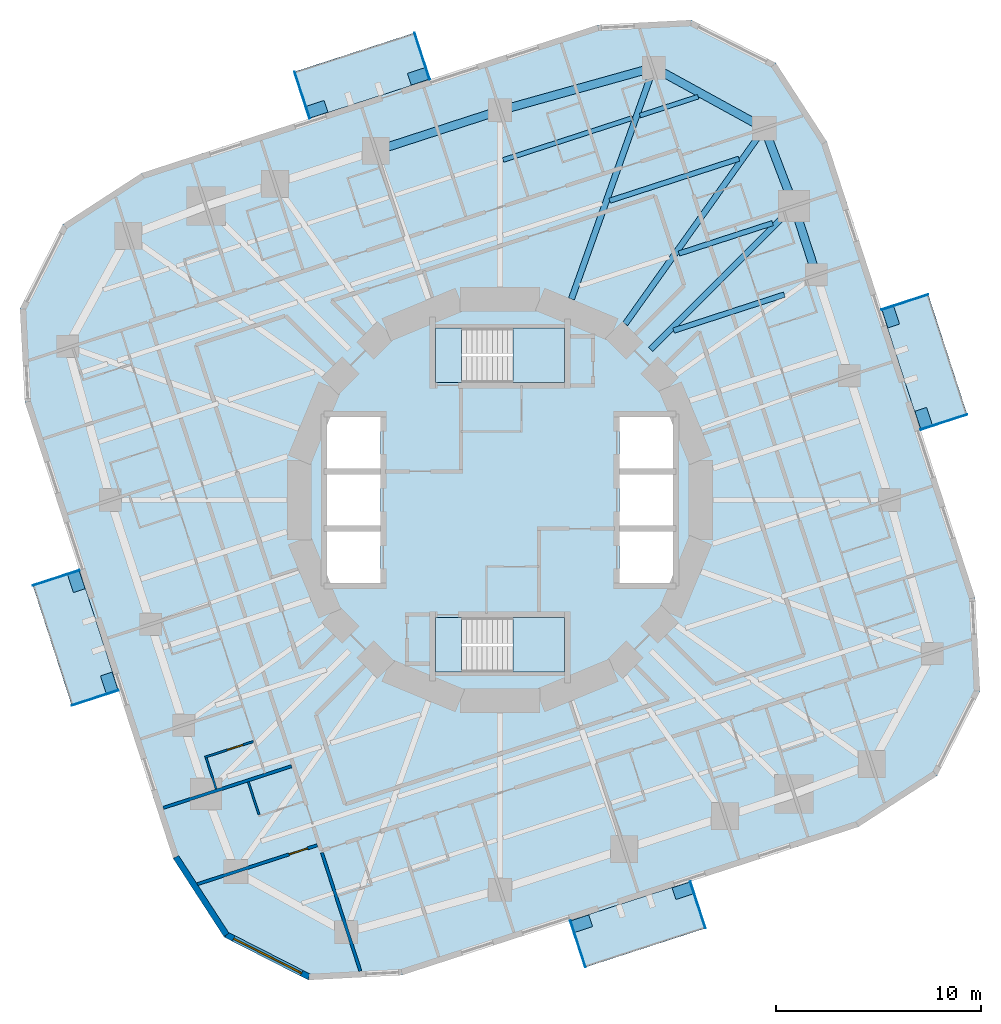
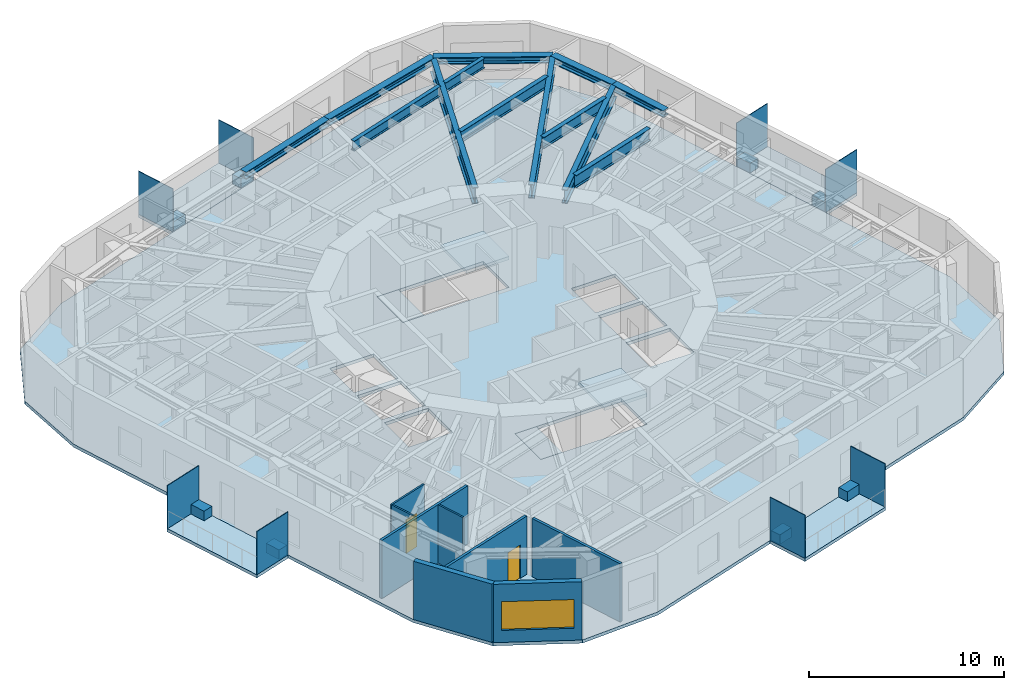
# One storey, part 3 of 12: 16 plates, 9 slabs, 8 beams, 8 walls, 5 members, 2 doors, 1 window, 3 openings, 2 elements without a shape of their own.
"""IFC4 building model written with IfcOpenShell, lengths in metres."""

from ifc_helpers import new_model, si_unit, direction, frame, frame_2d, origin, origin_2d, place, context, subcontext, project, spatial, polyline, rectangle, i_section, outline, extrude, material, layer, layer_set, material_profile, profile_set, type_object, element, fill, aggregate, save


model = new_model("IFC4")

# Units and contexts
model_context = context("Model", 3, precision=1e-05, world=origin(), true_north=direction((0.0, 1.0)))
body_context = subcontext(model_context, "Body", "Model", "MODEL_VIEW")
ifc_project = project(units=[si_unit("LENGTHUNIT", "METRE"), si_unit("AREAUNIT", "SQUARE_METRE"), si_unit("VOLUMEUNIT", "CUBIC_METRE"), si_unit("PLANEANGLEUNIT", "RADIAN"), si_unit("MASSUNIT", "GRAM", prefix="KILO")], contexts=[model_context])

# Site, building, storey
site_placement = place(None, origin())
site = spatial("IfcSite", under=ifc_project, at=site_placement, CompositionType="ELEMENT")
building_placement = place(site_placement, origin())
building = spatial("IfcBuilding", under=site, at=building_placement, Name="Nakasero Lantern House", CompositionType="ELEMENT")
storey_placement = place(building_placement, frame((0.0, 0.0, 172.60009765625)))
storey = spatial("IfcBuildingStorey", under=building, at=storey_placement, Name="L42", CompositionType="ELEMENT", Elevation=172.60009765625)

# Members
ifc_material_1 = material(Name="Steel S355", Category="steel")
ifc_material_profile_1 = material_profile(ifc_material_1, i_section(OverallWidth=0.412109375, OverallDepth=0.4365234375, WebThickness=0.035888671875, FlangeThickness=0.05810546875, FilletRadius=0.01513671875, at=origin_2d()), Name="UC 356x406x467")
ifc_profile_set_1 = profile_set([ifc_material_profile_1], Name="Steel S355")
member_type = type_object("IfcMemberType", Name="Belt truss chord UC 356x406x467", PredefinedType="CHORD", material=ifc_profile_set_1)
member_1_placement = place(storey_placement, frame((15.45947265625, 10.993408203125, 3.431640625), z_axis=(-0.309006636447, 0.951059881727, 0.0), x_axis=(-0.951059881727, -0.309006636447, 0.0)))
element("IfcMember", 1, at=member_1_placement, inside=storey, type_object=member_type, Name="Belt truss bottom chord T4 B4-C05", PredefinedType="CHORD", context=body_context, shape_type="SweptSolid", body=[
    extrude(i_section(OverallWidth=0.412109375, OverallDepth=0.4365234375, WebThickness=0.035888671875, FlangeThickness=0.05810546875, FilletRadius=0.01513671875, at=origin_2d()), origin(), (0.0, 0.0, 1.0), 3.544189453125),
])
member_2_placement = place(storey_placement, frame((14.3642578125, 14.3642578125, 3.431640625), z_axis=(-0.35622505813, 0.934400186194, 0.0), x_axis=(-0.934400186194, -0.35622505813, 0.0)))
element("IfcMember", 2, at=member_2_placement, inside=storey, type_object=member_type, Name="Belt truss bottom chord T4 B4-C06", PredefinedType="CHORD", context=body_context, shape_type="SweptSolid", body=[
    extrude(i_section(OverallWidth=0.412109375, OverallDepth=0.4365234375, WebThickness=0.035888671875, FlangeThickness=0.05810546875, FilletRadius=0.01513671875, at=origin_2d()), origin(), (0.0, 0.0, 1.0), 4.0654296875),
])
member_3_placement = place(storey_placement, frame((12.916015625, 18.1630859375, 3.431640625), z_axis=(-0.876576912681, 0.481261795861, 0.0), x_axis=(-0.481261795861, -0.876576912681, 0.0)))
element("IfcMember", 3, at=member_3_placement, inside=storey, type_object=member_type, Name="Belt truss bottom chord T4 B4-C07", PredefinedType="CHORD", context=body_context, shape_type="SweptSolid", body=[
    extrude(i_section(OverallWidth=0.412109375, OverallDepth=0.4365234375, WebThickness=0.035888671875, FlangeThickness=0.05810546875, FilletRadius=0.01513671875, at=origin_2d()), origin(), (0.0, 0.0, 1.0), 6.1640625),
])
member_4_placement = place(storey_placement, frame((7.5126953125, 21.129638671875, 3.431640625), z_axis=(-0.963143892339, -0.268986696047, 0.0), x_axis=(0.268986696047, -0.963143892339, 0.0)))
element("IfcMember", 4, at=member_4_placement, inside=storey, type_object=member_type, Name="Belt truss bottom chord T4 B4-C08", PredefinedType="CHORD", context=body_context, shape_type="SweptSolid", body=[
    extrude(i_section(OverallWidth=0.412109375, OverallDepth=0.4365234375, WebThickness=0.035888671875, FlangeThickness=0.05810546875, FilletRadius=0.01513671875, at=origin_2d()), origin(), (0.0, 0.0, 1.0), 7.80029296875),
])
member_5_placement = place(storey_placement, frame((0.0, 19.031494140625, 3.431640625), z_axis=(-0.951056007502, -0.309018560274, 0.0), x_axis=(0.309018560274, -0.951056007502, 0.0)))
element("IfcMember", 5, at=member_5_placement, inside=storey, type_object=member_type, Name="Belt truss bottom chord T4 B4-C09", PredefinedType="CHORD", context=body_context, shape_type="SweptSolid", body=[
    extrude(i_section(OverallWidth=0.412109375, OverallDepth=0.4365234375, WebThickness=0.035888671875, FlangeThickness=0.05810546875, FilletRadius=0.01513671875, at=origin_2d()), origin(), (0.0, 0.0, 1.0), 6.378173828125),
])

# Beams
ifc_material_2 = material(Name="Steel S355", Category="steel")
ifc_material_profile_2 = material_profile(ifc_material_2, i_section(OverallWidth=0.22900390625, OverallDepth=0.6123046875, WebThickness=0.011962890625, FlangeThickness=0.01953125, FilletRadius=0.0126953125, at=origin_2d()), Name="UB 610x229x125")
ifc_profile_set_2 = profile_set([ifc_material_profile_2], Name="Steel S355")
beam_type_1 = type_object("IfcBeamType", Name="Infill beam UB 610x229x125", PredefinedType="JOIST", material=ifc_profile_set_2)
beam_1_placement = place(storey_placement, frame((0.14990234375, 16.609375, 3.34375), z_axis=(0.951066694187, 0.308985668289, 0.0), x_axis=(-0.308985668289, 0.951066694187, 0.0)))
element("IfcBeam", 6, at=beam_1_placement, inside=storey, type_object=beam_type_1, Name="Infill beam L43 12.6", PredefinedType="JOIST", context=body_context, shape_type="SweptSolid", body=[
    extrude(i_section(OverallWidth=0.22900390625, OverallDepth=0.6123046875, WebThickness=0.011962890625, FlangeThickness=0.01953125, FilletRadius=0.0126953125, at=origin_2d()), origin(), (0.0, 0.0, 1.0), 6.65283203125),
])
beam_2_placement = place(storey_placement, frame((6.837158203125, 18.781982421875, 3.34375), z_axis=(0.951050280561, 0.309036185332, 0.0), x_axis=(-0.309036185332, 0.951050280561, 0.0)))
element("IfcBeam", 7, at=beam_2_placement, inside=storey, type_object=beam_type_1, Name="Infill beam L43 12.7", PredefinedType="JOIST", context=body_context, shape_type="SweptSolid", body=[
    extrude(i_section(OverallWidth=0.22900390625, OverallDepth=0.6123046875, WebThickness=0.011962890625, FlangeThickness=0.01953125, FilletRadius=0.0126953125, at=origin_2d()), origin(), (0.0, 0.0, 1.0), 2.98779296875),
])
ifc_material_3 = material(Name="Steel S355", Category="steel")
ifc_material_profile_3 = material_profile(ifc_material_3, i_section(OverallWidth=0.253662109375, OverallDepth=0.68359375, WebThickness=0.012451171875, FlangeThickness=0.01904296875, FilletRadius=0.01513671875, at=origin_2d()), Name="UB 686x254x140")
ifc_profile_set_3 = profile_set([ifc_material_profile_3], Name="Steel S355")
beam_type_2 = type_object("IfcBeamType", Name="Infill beam UB 686x254x140", PredefinedType="JOIST", material=ifc_profile_set_3)
beam_3_placement = place(storey_placement, frame((5.35791015625, 14.621337890625, 3.30810546875), z_axis=(0.951051345543, 0.309032907861, 0.0), x_axis=(-0.309032907861, 0.951051345543, 0.0)))
element("IfcBeam", 8, at=beam_3_placement, inside=storey, type_object=beam_type_2, Name="Infill beam L43 11.8", PredefinedType="JOIST", context=body_context, shape_type="SweptSolid", body=[
    extrude(i_section(OverallWidth=0.253662109375, OverallDepth=0.68359375, WebThickness=0.012451171875, FlangeThickness=0.01904296875, FilletRadius=0.01513671875, at=origin_2d()), origin(), (0.0, 0.0, 1.0), 6.6455078125),
])
ifc_material_4 = material(Name="Steel S355", Category="steel")
ifc_material_profile_4 = material_profile(ifc_material_4, i_section(OverallWidth=0.255859375, OverallDepth=0.69287109375, WebThickness=0.014404296875, FlangeThickness=0.023681640625, FilletRadius=0.01513671875, at=origin_2d()), Name="UB 686x254x170")
ifc_profile_set_4 = profile_set([ifc_material_profile_4], Name="Steel S355")
beam_type_3 = type_object("IfcBeamType", Name="Infill beam UB 686x254x170", PredefinedType="JOIST", material=ifc_profile_set_4)
beam_4_placement = place(storey_placement, frame((8.74169921875, 12.04052734375, 3.303466796875), z_axis=(0.951043753501, 0.309056271458, 0.0), x_axis=(-0.309056271458, 0.951043753501, 0.0)))
element("IfcBeam", 9, at=beam_4_placement, inside=storey, type_object=beam_type_3, Name="Infill beam L43 10.4", PredefinedType="JOIST", context=body_context, shape_type="SweptSolid", body=[
    extrude(i_section(OverallWidth=0.255859375, OverallDepth=0.69287109375, WebThickness=0.014404296875, FlangeThickness=0.023681640625, FilletRadius=0.01513671875, at=origin_2d()), origin(), (0.0, 0.0, 1.0), 4.81640625),
])
ifc_material_5 = material(Name="Steel S355", Category="steel")
ifc_material_profile_5 = material_profile(ifc_material_5, i_section(OverallWidth=0.2666015625, OverallDepth=0.76220703125, WebThickness=0.014404296875, FlangeThickness=0.021484375, FilletRadius=0.0166015625, at=origin_2d()), Name="UB 762x267x173")
ifc_profile_set_5 = profile_set([ifc_material_profile_5], Name="Steel S355")
beam_type_4 = type_object("IfcBeamType", Name="Infill beam UB 762x267x173", PredefinedType="JOIST", material=ifc_profile_set_5)
beam_5_placement = place(storey_placement, frame((8.4833984375, 8.276611328125, 3.268798828125), z_axis=(0.951057747163, 0.309013206126, 0.0), x_axis=(-0.309013206126, 0.951057747163, 0.0)))
element("IfcBeam", 10, at=beam_5_placement, inside=storey, type_object=beam_type_4, Name="Infill beam L43 09.2", PredefinedType="JOIST", context=body_context, shape_type="SweptSolid", body=[
    extrude(i_section(OverallWidth=0.2666015625, OverallDepth=0.76220703125, WebThickness=0.014404296875, FlangeThickness=0.021484375, FilletRadius=0.0166015625, at=origin_2d()), origin(), (0.0, 0.0, 1.0), 5.68212890625),
])
ifc_material_6 = material(Name="Steel S355", Category="steel")
ifc_material_profile_6 = material_profile(ifc_material_6, i_section(OverallWidth=0.300048828125, OverallDepth=1.0, WebThickness=0.01904296875, FlangeThickness=0.035888671875, FilletRadius=0.030029296875, at=origin_2d()), Name="UB 1016x305x314")
ifc_profile_set_6 = profile_set([ifc_material_profile_6], Name="Steel S355")
beam_type_5 = type_object("IfcBeamType", Name="Primary beam UB 1016x305x314, span 12 to 15 m", PredefinedType="BEAM", material=ifc_profile_set_6)
beam_6_placement = place(storey_placement, frame((7.5126953125, 21.129638671875, 3.14990234375), z_axis=(-0.335012877559, -0.942213548974, 0.0), x_axis=(0.942213548974, -0.335012877559, 0.0)))
element("IfcBeam", 11, at=beam_6_placement, inside=storey, type_object=beam_type_5, Name="Primary beam L43 B4-C08", PredefinedType="BEAM", context=body_context, shape_type="SweptSolid", body=[
    extrude(i_section(OverallWidth=0.300048828125, OverallDepth=1.0, WebThickness=0.01904296875, FlangeThickness=0.035888671875, FilletRadius=0.030029296875, at=origin_2d()), origin(), (0.0, 0.0, 1.0), 12.00390625),
])
ifc_material_7 = material(Name="Steel S355", Category="steel")
ifc_material_profile_7 = material_profile(ifc_material_7, i_section(OverallWidth=0.29248046875, OverallDepth=0.8408203125, WebThickness=0.0146484375, FlangeThickness=0.02685546875, FilletRadius=0.017822265625, at=origin_2d()), Name="UB 838x292x194")
ifc_profile_set_7 = profile_set([ifc_material_profile_7], Name="Steel S355")
beam_type_6 = type_object("IfcBeamType", Name="Primary beam UB 838x292x194, span 9 to 12 m", PredefinedType="BEAM", material=ifc_profile_set_7)
beam_7_placement = place(storey_placement, frame((14.3642578125, 14.3642578125, 3.2294921875), z_axis=(-0.707106781187, -0.707106781187, 0.0), x_axis=(0.707106781187, -0.707106781187, 0.0)))
element("IfcBeam", 12, at=beam_7_placement, inside=storey, type_object=beam_type_6, Name="Primary beam L43 B4-C06", PredefinedType="BEAM", context=body_context, shape_type="SweptSolid", body=[
    extrude(i_section(OverallWidth=0.29248046875, OverallDepth=0.8408203125, WebThickness=0.0146484375, FlangeThickness=0.02685546875, FilletRadius=0.017822265625, at=origin_2d()), origin(), (0.0, 0.0, 1.0), 9.906494140625),
])
beam_8_placement = place(storey_placement, frame((12.916015625, 18.1630859375, 3.2294921875), z_axis=(-0.579530236062, -0.814950738075, 0.0), x_axis=(0.814950738075, -0.579530236062, 0.0)))
element("IfcBeam", 13, at=beam_8_placement, inside=storey, type_object=beam_type_6, Name="Primary beam L43 B4-C07", PredefinedType="BEAM", context=body_context, shape_type="SweptSolid", body=[
    extrude(i_section(OverallWidth=0.29248046875, OverallDepth=0.8408203125, WebThickness=0.0146484375, FlangeThickness=0.02685546875, FilletRadius=0.017822265625, at=origin_2d()), origin(), (0.0, 0.0, 1.0), 11.73193359375),
])

# Plates
ifc_material_8 = material(Name="Aluminium 6063-T6", Category="aluminium")
ifc_layer_1 = layer(ifc_material_8, 0.60009765625)
ifc_layer_set_1 = layer_set([ifc_layer_1], Name="Balcony planter 600x900")
plate_type_1 = type_object("IfcPlateType", Name="Balcony planter 600x900", PredefinedType="USERDEFINED", material=ifc_layer_set_1)
for number, where, z_axis, x_axis, name in (
    (14, (20.696533203125, 4.00146484375, -0.000244140625), (0.0, 0.0, 1.0), (0.951056516295, 0.309016994375, 0.0), "Balcony PLANTER L42 BAL0A"),
    (15, (19.095703125, 8.927978515625, -0.000244140625), (0.0, 0.0, 1.0), (0.951056516295, 0.309016994375, 0.0), "Balcony PLANTER L42 BAL0B"),
    (16, (-4.00146484375, 20.696533203125, -0.000244140625), (0.0, 0.0, 1.0), (-0.309016994375, 0.951056516295, 0.0), "Balcony PLANTER L42 BAL1A"),
    (17, (-8.927978515625, 19.095703125, -0.000244140625), (0.0, 0.0, 1.0), (-0.309016994375, 0.951056516295, 0.0), "Balcony PLANTER L42 BAL1B"),
    (18, (-20.696533203125, -4.00146484375, -0.000244140625), (0.0, 0.0, 1.0), (-0.951056516295, -0.309016994375, 0.0), "Balcony PLANTER L42 BAL2A"),
    (19, (-19.095703125, -8.927978515625, -0.000244140625), (0.0, 0.0, 1.0), (-0.951056516295, -0.309016994375, 0.0), "Balcony PLANTER L42 BAL2B"),
    (20, (4.00146484375, -20.696533203125, -0.000244140625), (0.0, 0.0, 1.0), (0.309016994375, -0.951056516295, 0.0), "Balcony PLANTER L42 BAL3A"),
    (21, (8.927978515625, -19.095703125, -0.000244140625), (0.0, 0.0, 1.0), (0.309016994375, -0.951056516295, 0.0), "Balcony PLANTER L42 BAL3B"),
):
    element("IfcPlate", number, at=place(storey_placement, frame(where, z_axis=z_axis, x_axis=x_axis)), inside=storey, type_object=plate_type_1, Name=name, ObjectType="PLANTER", PredefinedType="USERDEFINED", context=body_context, shape_type="SweptSolid", body=[
        extrude(rectangle(XDim=0.60009765625, YDim=0.89990234375, at=origin_2d()), origin(), (0.0, 0.0, 1.0), 0.60009765625),
    ])
ifc_material_9 = material(Name="Aluminium 6063-T6", Category="aluminium")
ifc_layer_2 = layer(ifc_material_9, 0.0400390625)
ifc_layer_set_2 = layer_set([ifc_layer_2], Name="Balcony screen 2400x2700")
plate_type_2 = type_object("IfcPlateType", Name="Balcony screen 2400x2700", PredefinedType="SHEET", material=ifc_layer_set_2)
for number, where, z_axis, x_axis, name in (
    (22, (21.684814453125, 3.807373046875, 0.0), (0.0, 0.0, 1.0), (0.951056516295, 0.309016994375, 0.0), "Balcony SCREEN L42 BAL0A"),
    (23, (19.78125, 9.665771484375, 0.0), (0.0, 0.0, 1.0), (0.951056516295, 0.309016994375, 0.0), "Balcony SCREEN L42 BAL0B"),
    (24, (-3.807373046875, 21.684814453125, 0.0), (0.0, 0.0, 1.0), (-0.309016994375, 0.951056516295, 0.0), "Balcony SCREEN L42 BAL1A"),
    (25, (-9.665771484375, 19.78125, 0.0), (0.0, 0.0, 1.0), (-0.309016994375, 0.951056516295, 0.0), "Balcony SCREEN L42 BAL1B"),
    (26, (-21.684814453125, -3.807373046875, 0.0), (0.0, 0.0, 1.0), (-0.951056516295, -0.309016994375, 0.0), "Balcony SCREEN L42 BAL2A"),
    (27, (-19.78125, -9.665771484375, 0.0), (0.0, 0.0, 1.0), (-0.951056516295, -0.309016994375, 0.0), "Balcony SCREEN L42 BAL2B"),
    (28, (3.807373046875, -21.684814453125, 0.0), (0.0, 0.0, 1.0), (0.309016994375, -0.951056516295, 0.0), "Balcony SCREEN L42 BAL3A"),
    (29, (9.665771484375, -19.78125, 0.0), (0.0, 0.0, 1.0), (0.309016994375, -0.951056516295, 0.0), "Balcony SCREEN L42 BAL3B"),
):
    element("IfcPlate", number, at=place(storey_placement, frame(where, z_axis=z_axis, x_axis=x_axis)), inside=storey, type_object=plate_type_2, Name=name, PredefinedType="SHEET", context=body_context, shape_type="SweptSolid", body=[
        extrude(rectangle(XDim=2.39990234375, YDim=0.0400390625, at=origin_2d()), origin(), (0.0, 0.0, 1.0), 2.699951171875),
    ])

# Slabs
ifc_material_10 = material(Name="Concrete C35/45", Category="concrete")
ifc_layer_3 = layer(ifc_material_10, 0.199951171875)
ifc_layer_set_3 = layer_set([ifc_layer_3], Name="Balcony slab 200")
slab_type_1 = type_object("IfcSlabType", Name="Balcony slab 200", PredefinedType="USERDEFINED", material=ifc_layer_set_3)
slab_1_placement = place(storey_placement, frame((0.0, 0.0, -0.2001953125)))
element("IfcSlab", 30, at=slab_1_placement, inside=storey, type_object=slab_type_1, Name="Balcony L42 BAL0", ObjectType="BALCONY", PredefinedType="USERDEFINED", context=body_context, shape_type="SweptSolid", body=[
    extrude(outline(polyline([(20.5498046875, 3.41748046875), (22.832275390625, 4.1591796875), (20.916259765625, 10.0556640625), (18.6337890625, 9.31396484375), (20.5498046875, 3.41748046875)])), origin(), (0.0, 0.0, 1.0), 0.2001953125),
])
slab_2_placement = place(storey_placement, frame((0.0, 0.0, -0.2001953125)))
element("IfcSlab", 31, at=slab_2_placement, inside=storey, type_object=slab_type_1, Name="Balcony L42 BAL1", ObjectType="BALCONY", PredefinedType="USERDEFINED", context=body_context, shape_type="SweptSolid", body=[
    extrude(outline(polyline([(-3.41748046875, 20.5498046875), (-4.1591796875, 22.832275390625), (-10.0556640625, 20.916259765625), (-9.31396484375, 18.6337890625), (-3.41748046875, 20.5498046875)])), origin(), (0.0, 0.0, 1.0), 0.2001953125),
])
slab_3_placement = place(storey_placement, frame((0.0, 0.0, -0.2001953125)))
element("IfcSlab", 32, at=slab_3_placement, inside=storey, type_object=slab_type_1, Name="Balcony L42 BAL2", ObjectType="BALCONY", PredefinedType="USERDEFINED", context=body_context, shape_type="SweptSolid", body=[
    extrude(outline(polyline([(-20.5498046875, -3.41748046875), (-22.832275390625, -4.1591796875), (-20.916259765625, -10.0556640625), (-18.6337890625, -9.31396484375), (-20.5498046875, -3.41748046875)])), origin(), (0.0, 0.0, 1.0), 0.2001953125),
])
slab_4_placement = place(storey_placement, frame((0.0, 0.0, -0.2001953125)))
element("IfcSlab", 33, at=slab_4_placement, inside=storey, type_object=slab_type_1, Name="Balcony L42 BAL3", ObjectType="BALCONY", PredefinedType="USERDEFINED", context=body_context, shape_type="SweptSolid", body=[
    extrude(outline(polyline([(3.41748046875, -20.5498046875), (4.1591796875, -22.832275390625), (10.0556640625, -20.916259765625), (9.31396484375, -18.6337890625), (3.41748046875, -20.5498046875)])), origin(), (0.0, 0.0, 1.0), 0.2001953125),
])
ifc_material_11 = material(Name="Concrete C35/45", Category="concrete")
ifc_layer_4 = layer(ifc_material_11, 0.199951171875)
ifc_layer_set_4 = layer_set([ifc_layer_4], Name="Composite floor slab 200")
slab_type_2 = type_object("IfcSlabType", Name="Composite floor slab 200", PredefinedType="FLOOR", material=ifc_layer_set_4)
slab_5_placement = place(storey_placement, frame((0.0, 0.0, -0.2001953125)))
element("IfcSlab", 34, at=slab_5_placement, inside=storey, type_object=slab_type_2, Name="Floor slab L42", PredefinedType="FLOOR", context=body_context, shape_type="SweptSolid", body=[
    extrude(outline(polyline([(15.976318359375, 17.4931640625), (13.467041015625, 21.35693359375), (9.3623046875, 23.448486328125), (4.76171875, 23.207275390625), (-17.4931640625, 15.976318359375), (-21.35693359375, 13.467041015625), (-23.448486328125, 9.3623046875), (-23.207275390625, 4.76171875), (-15.976318359375, -17.4931640625), (-13.467041015625, -21.35693359375), (-9.3623046875, -23.448486328125), (-4.76171875, -23.207275390625), (17.4931640625, -15.976318359375), (21.35693359375, -13.467041015625), (23.448486328125, -9.3623046875), (23.207275390625, -4.76171875), (15.976318359375, 17.4931640625)]), holes=[polyline([(-8.449951171875, -4.050048828125), (-5.85009765625, -4.050048828125), (-5.85009765625, -1.550048828125), (-8.449951171875, -1.550048828125), (-8.449951171875, -4.050048828125)]), polyline([(-8.449951171875, -1.25), (-5.85009765625, -1.25), (-5.85009765625, 1.25), (-8.449951171875, 1.25), (-8.449951171875, -1.25)]), polyline([(-8.449951171875, 1.550048828125), (-5.85009765625, 1.550048828125), (-5.85009765625, 4.050048828125), (-8.449951171875, 4.050048828125), (-8.449951171875, 1.550048828125)]), polyline([(5.85009765625, -4.050048828125), (8.449951171875, -4.050048828125), (8.449951171875, -1.550048828125), (5.85009765625, -1.550048828125), (5.85009765625, -4.050048828125)]), polyline([(5.85009765625, -1.25), (8.449951171875, -1.25), (8.449951171875, 1.25), (5.85009765625, 1.25), (5.85009765625, -1.25)]), polyline([(5.85009765625, 1.550048828125), (8.449951171875, 1.550048828125), (8.449951171875, 4.050048828125), (5.85009765625, 4.050048828125), (5.85009765625, 1.550048828125)]), polyline([(-3.14990234375, 5.75), (3.14990234375, 5.75), (3.14990234375, 8.39990234375), (-3.14990234375, 8.39990234375), (-3.14990234375, 5.75)]), polyline([(-3.14990234375, -8.39990234375), (3.14990234375, -8.39990234375), (3.14990234375, -5.75), (-3.14990234375, -5.75), (-3.14990234375, -8.39990234375)])]), origin(), (0.0, 0.0, 1.0), 0.2001953125),
])

# Stair, slabs
ifc_material_12 = material(Name="Concrete C40/50", Category="concrete")
stair_type_1 = type_object("IfcStairType", Name="Escape stair ST1 22 risers", PredefinedType="HALF_TURN_STAIR", material=ifc_material_12)
stair_1_placement = place(storey_placement, origin())
stair_1 = element("IfcStair", 35, at=stair_1_placement, inside=storey, type_object=stair_type_1, Name="Escape stair ST1 L42", PredefinedType="HALF_TURN_STAIR")
ifc_material_13 = material(Name="Concrete C40/50", Category="concrete")
ifc_layer_5 = layer(ifc_material_13, 0.199951171875)
ifc_layer_set_5 = layer_set([ifc_layer_5], Name="Stair landing 200")
slab_type_3 = type_object("IfcSlabType", Name="Stair landing 200", PredefinedType="LANDING", material=ifc_layer_set_5)
slab_6_placement = place(storey_placement, frame((0.0, 0.0, -0.2001953125)))
slab_6 = element("IfcSlab", 36, at=slab_6_placement, type_object=slab_type_3, Name="ST1 landing 1", PredefinedType="LANDING", context=body_context, shape_type="SweptSolid", body=[
    extrude(outline(polyline([(-3.14990234375, 5.75), (-1.875, 5.75), (-1.875, 8.39990234375), (-3.14990234375, 8.39990234375), (-3.14990234375, 5.75)])), origin(), (0.0, 0.0, 1.0), 0.2001953125),
])
slab_7_placement = place(storey_placement, frame((0.0, 0.0, 1.724853515625)))
slab_7 = element("IfcSlab", 37, at=slab_7_placement, type_object=slab_type_3, Name="ST1 landing 2", PredefinedType="LANDING", context=body_context, shape_type="SweptSolid", body=[
    extrude(outline(polyline([(0.625, 5.75), (3.14990234375, 5.75), (3.14990234375, 8.39990234375), (0.625, 8.39990234375), (0.625, 5.75)])), origin(), (0.0, 0.0, 1.0), 0.199951171875),
])
aggregate(stair_1, [slab_6, slab_7])

ifc_material_14 = material(Name="Concrete C40/50", Category="concrete")
stair_type_2 = type_object("IfcStairType", Name="Escape stair ST2 22 risers", PredefinedType="HALF_TURN_STAIR", material=ifc_material_14)
stair_2_placement = place(storey_placement, origin())
stair_2 = element("IfcStair", 38, at=stair_2_placement, inside=storey, type_object=stair_type_2, Name="Escape stair ST2 L42", PredefinedType="HALF_TURN_STAIR")
slab_8_placement = place(storey_placement, frame((0.0, 0.0, -0.2001953125)))
slab_8 = element("IfcSlab", 39, at=slab_8_placement, type_object=slab_type_3, Name="ST2 landing 1", PredefinedType="LANDING", context=body_context, shape_type="SweptSolid", body=[
    extrude(outline(polyline([(-3.14990234375, -8.39990234375), (-1.875, -8.39990234375), (-1.875, -5.75), (-3.14990234375, -5.75), (-3.14990234375, -8.39990234375)])), origin(), (0.0, 0.0, 1.0), 0.2001953125),
])
slab_9_placement = place(storey_placement, frame((0.0, 0.0, 1.724853515625)))
slab_9 = element("IfcSlab", 40, at=slab_9_placement, type_object=slab_type_3, Name="ST2 landing 2", PredefinedType="LANDING", context=body_context, shape_type="SweptSolid", body=[
    extrude(outline(polyline([(0.625, -8.39990234375), (3.14990234375, -8.39990234375), (3.14990234375, -5.75), (0.625, -5.75), (0.625, -8.39990234375)])), origin(), (0.0, 0.0, 1.0), 0.199951171875),
])
aggregate(stair_2, [slab_8, slab_9])

# Wall, opening, door
ifc_material_15 = material(Name="Blockwork", Category="masonry")
ifc_layer_6 = layer(ifc_material_15, 0.10009765625)
ifc_layer_set_6 = layer_set([ifc_layer_6], Name="En-suite wall 100")
wall_type_1 = type_object("IfcWallType", Name="En-suite wall 100", PredefinedType="PARTITIONING", material=ifc_layer_set_6)
wall_1_placement = place(storey_placement, frame((-12.044189453125, -11.796630859375, 0.0), z_axis=(0.0, 0.0, 1.0), x_axis=(-0.951067792613, -0.308982287281, 0.0)))
wall_1 = element("IfcWall", 41, at=wall_1_placement, inside=storey, type_object=wall_type_1, Name="En-suite wall L42 ES2-05", PredefinedType="PARTITIONING", context=body_context, shape_type="SweptSolid", body=[
    extrude(rectangle(XDim=2.5, YDim=0.10009765625, at=frame_2d((1.25, 0.0))), origin(), (0.0, 0.0, 1.0), 3.64990234375),
])
opening_1_placement = place(wall_1_placement, frame((0.550048828125, 0.0, 0.0)))
opening_1 = element("IfcOpeningElement", 42, at=opening_1_placement, cuts=wall_1, Name="Opening D02", PredefinedType="OPENING", context=body_context, shape_type="SweptSolid", body=[
    extrude(rectangle(XDim=0.800048828125, YDim=2.10009765625, at=frame_2d((0.39990234375, 1.050048828125))), frame((0.0, 0.070068359375, 0.0), z_axis=(0.0, -1.0, 0.0), x_axis=(1.0, 0.0, 0.0)), (0.0, 0.0, 1.0), 0.14013671875),
])
ifc_material_16 = material(Name="Timber C24", Category="wood")
door_type_1 = type_object("IfcDoorType", Name="En-suite door 800", OperationType="SINGLE_SWING_RIGHT", PredefinedType="DOOR", material=ifc_material_16)
door_1_placement = place(opening_1_placement, origin())
door_1 = element("IfcDoor", 43, at=door_1_placement, inside=storey, type_object=door_type_1, Name="Door L42 DE2-05", OperationType="SINGLE_SWING_LEFT", OverallHeight=2.10009765625, OverallWidth=0.800048828125, PredefinedType="DOOR", context=body_context, shape_type="SweptSolid", body=[
    extrude(rectangle(XDim=0.800048828125, YDim=2.10009765625, at=frame_2d((0.39990234375, 1.050048828125))), frame((0.0, 0.02490234375, 0.0), z_axis=(0.0, -1.0, 0.0), x_axis=(1.0, 0.0, 0.0)), (0.0, 0.0, 1.0), 0.050048828125),
])
fill(opening_1, door_1)

# Walls
wall_2_placement = place(storey_placement, frame((-14.358642578125, -12.601318359375, 0.0), z_axis=(0.0, 0.0, 1.0), x_axis=(0.308986014439, -0.951066581729, 0.0)))
element("IfcWall", 44, at=wall_2_placement, inside=storey, type_object=wall_type_1, Name="En-suite wall L42 EE2-05", PredefinedType="PARTITIONING", context=body_context, shape_type="SweptSolid", body=[
    extrude(rectangle(XDim=1.60009765625, YDim=0.10009765625, at=frame_2d((0.800048828125, 0.0))), origin(), (0.0, 0.0, 1.0), 3.64990234375),
])
wall_3_placement = place(storey_placement, frame((-12.29638671875, -13.771240234375, 0.0), z_axis=(0.0, 0.0, 1.0), x_axis=(0.309066587596, -0.951040401051, 0.0)))
element("IfcWall", 45, at=wall_3_placement, inside=storey, type_object=wall_type_1, Name="En-suite wall L42 EE2-06", PredefinedType="PARTITIONING", context=body_context, shape_type="SweptSolid", body=[
    extrude(rectangle(XDim=1.699951171875, YDim=0.10009765625, at=frame_2d((0.85009765625, 0.0))), origin(), (0.0, 0.0, 1.0), 3.64990234375),
])
ifc_material_17 = material(Name="Aluminium rainscreen on blockwork", Category="masonry")
ifc_layer_7 = layer(ifc_material_17, 0.300048828125)
ifc_layer_set_7 = layer_set([ifc_layer_7], Name="Facade wall 300")
wall_type_2 = type_object("IfcWallType", Name="Facade wall 300", PredefinedType="SOLIDWALL", material=ifc_layer_set_7)
wall_4_placement = place(storey_placement, frame((-15.83349609375, -17.44677734375, 0.0), z_axis=(0.0, 0.0, 1.0), x_axis=(0.544634002266, -0.838673836229, 0.0)))
element("IfcWall", 46, at=wall_4_placement, inside=storey, type_object=wall_type_2, Name="Facade wall L42 FW2C1", PredefinedType="SOLIDWALL", context=body_context, shape_type="SweptSolid", body=[
    extrude(rectangle(XDim=4.529296875, YDim=0.300048828125, at=frame_2d((2.2646484375, 0.0))), origin(), (0.0, 0.0, 1.0), 3.64990234375),
])

# Wall, opening, window
wall_5_placement = place(storey_placement, frame((-13.36669921875, -21.245361328125, 0.0), z_axis=(0.0, 0.0, 1.0), x_axis=(0.890994655705, -0.454013792196, 0.0)))
wall_5 = element("IfcWall", 47, at=wall_5_placement, inside=storey, type_object=wall_type_2, Name="Facade wall L42 FW2C2", PredefinedType="SOLIDWALL", context=body_context, shape_type="SweptSolid", body=[
    extrude(rectangle(XDim=4.529296875, YDim=0.300048828125, at=frame_2d((2.2646484375, 0.0))), origin(), (0.0, 0.0, 1.0), 3.64990234375),
])
opening_2_placement = place(wall_5_placement, frame((0.39990234375, 0.0, 0.75)))
opening_2 = element("IfcOpeningElement", 48, at=opening_2_placement, cuts=wall_5, Name="Opening W237A", PredefinedType="OPENING", context=body_context, shape_type="SweptSolid", body=[
    extrude(rectangle(XDim=3.72900390625, YDim=1.800048828125, at=frame_2d((1.864501953125, 0.89990234375))), frame((0.0, 0.169921875, 0.0), z_axis=(0.0, -1.0, 0.0), x_axis=(1.0, 0.0, 0.0)), (0.0, 0.0, 1.0), 0.340087890625),
])
ifc_material_18 = material(Name="Aluminium 6063-T6 and glass", Category="aluminium")
window_type = type_object("IfcWindowType", Name="Corner window 3729x1800", PartitioningType="SINGLE_PANEL", PredefinedType="WINDOW", material=ifc_material_18)
window_placement = place(opening_2_placement, origin())
window = element("IfcWindow", 49, at=window_placement, inside=storey, type_object=window_type, Name="Window L42 WC2", OverallHeight=1.800048828125, OverallWidth=3.72900390625, PartitioningType="SINGLE_PANEL", PredefinedType="WINDOW", context=body_context, shape_type="SweptSolid", body=[
    extrude(rectangle(XDim=3.72900390625, YDim=1.800048828125, at=frame_2d((1.864501953125, 0.89990234375))), frame((0.0, 0.030029296875, 0.0), z_axis=(0.0, -1.0, 0.0), x_axis=(1.0, 0.0, 0.0)), (0.0, 0.0, 1.0), 0.06005859375),
])
fill(opening_2, window)

# Wall
ifc_material_19 = material(Name="Blockwork", Category="masonry")
ifc_layer_8 = layer(ifc_material_19, 0.14990234375)
ifc_layer_set_8 = layer_set([ifc_layer_8], Name="Party wall 150")
wall_type_3 = type_object("IfcWallType", Name="Party wall 150", PredefinedType="PARTITIONING", material=ifc_layer_set_8)
wall_6_placement = place(storey_placement, frame((-10.1796875, -13.004638671875, 0.0), z_axis=(0.0, 0.0, 1.0), x_axis=(-0.951053095941, -0.309027520945, 0.0)))
element("IfcWall", 50, at=wall_6_placement, inside=storey, type_object=wall_type_3, Name="Party wall L42 PW2-06", PredefinedType="PARTITIONING", context=body_context, shape_type="SweptSolid", body=[
    extrude(rectangle(XDim=6.599853515625, YDim=0.14990234375, at=frame_2d((3.2998046875, 0.0))), origin(), (0.0, 0.0, 1.0), 3.64990234375),
])

# Wall, opening, door
wall_7_placement = place(storey_placement, frame((-8.9248046875, -16.8662109375, 0.0), z_axis=(0.0, 0.0, 1.0), x_axis=(-0.951051818488, -0.309031452366, 0.0)))
wall_7 = element("IfcWall", 51, at=wall_7_placement, inside=storey, type_object=wall_type_3, Name="Party wall L42 PC2", PredefinedType="PARTITIONING", context=body_context, shape_type="SweptSolid", body=[
    extrude(rectangle(XDim=6.165283203125, YDim=0.14990234375, at=frame_2d((3.08251953125, 0.0))), origin(), (0.0, 0.0, 1.0), 3.64990234375),
])
opening_3_placement = place(wall_7_placement, frame((0.5, 0.0, 0.0)))
opening_3 = element("IfcOpeningElement", 52, at=opening_3_placement, cuts=wall_7, Name="Opening D01", PredefinedType="OPENING", context=body_context, shape_type="SweptSolid", body=[
    extrude(rectangle(XDim=0.949951171875, YDim=2.10009765625, at=frame_2d((0.47509765625, 1.050048828125))), frame((0.0, 0.094970703125, 0.0), z_axis=(0.0, -1.0, 0.0), x_axis=(1.0, 0.0, 0.0)), (0.0, 0.0, 1.0), 0.18994140625),
])
ifc_material_20 = material(Name="Timber C24", Category="wood")
door_type_2 = type_object("IfcDoorType", Name="Bedroom door FD30S 950", OperationType="SINGLE_SWING_LEFT", PredefinedType="DOOR", material=ifc_material_20)
door_2_placement = place(opening_3_placement, origin())
door_2 = element("IfcDoor", 53, at=door_2_placement, inside=storey, type_object=door_type_2, Name="Door L42 DC2", OperationType="SINGLE_SWING_LEFT", OverallHeight=2.10009765625, OverallWidth=0.949951171875, PredefinedType="DOOR", context=body_context, shape_type="SweptSolid", body=[
    extrude(rectangle(XDim=0.949951171875, YDim=2.10009765625, at=frame_2d((0.47509765625, 1.050048828125))), frame((0.0, 0.02490234375, 0.0), z_axis=(0.0, -1.0, 0.0), x_axis=(1.0, 0.0, 0.0)), (0.0, 0.0, 1.0), 0.050048828125),
])
fill(opening_3, door_2)

# Wall
wall_8_placement = place(storey_placement, frame((-8.700927734375, -17.232177734375, 0.0), z_axis=(0.0, 0.0, 1.0), x_axis=(0.309015253813, -0.951057081836, 0.0)))
element("IfcWall", 54, at=wall_8_placement, inside=storey, type_object=wall_type_3, Name="Party wall L42 PW3-00", PredefinedType="PARTITIONING", context=body_context, shape_type="SweptSolid", body=[
    extrude(rectangle(XDim=6.080322265625, YDim=0.14990234375, at=frame_2d((3.0400390625, 0.0))), origin(), (0.0, 0.0, 1.0), 3.64990234375),
])

save(model, "model.ifc")
